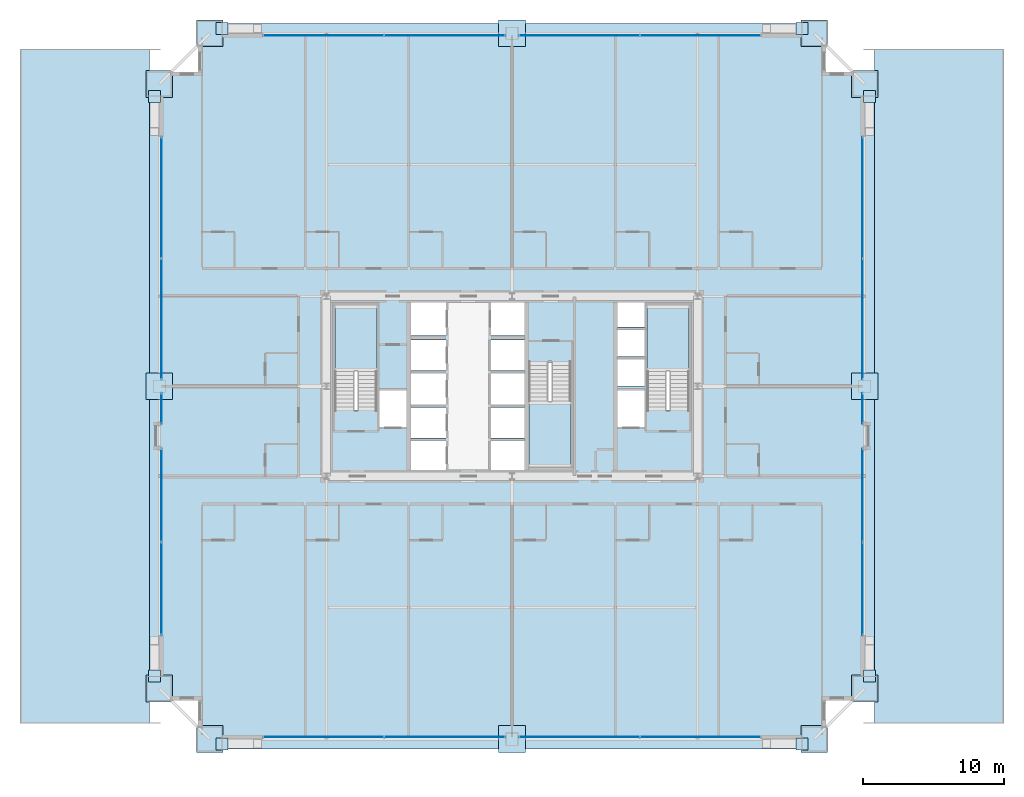
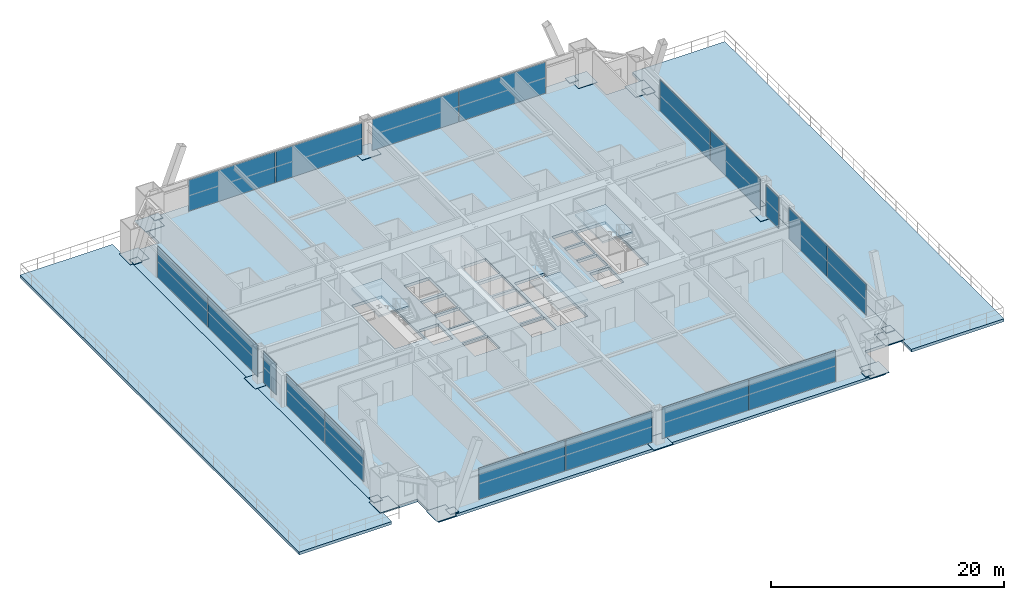
# One storey, part 37 of 45: 38 plates, 6 slabs, 13 elements without a shape of their own.
"""IFC4 building model written with IfcOpenShell, lengths in metres."""

from ifc_helpers import new_model, si_unit, direction, frame, origin, origin_2d, place, context, subcontext, project, spatial, polyline, rectangle, outline, extrude, source, transform, mapped, material, layer, layer_set, type_object, element, aggregate, save


model = new_model("IFC4")

# Units and contexts
model_context = context("Model", 3, precision=1e-05, world=origin(), true_north=direction((0.0, 1.0)))
body_context = subcontext(model_context, "Body", "Model", "MODEL_VIEW")
ifc_project = project(units=[si_unit("LENGTHUNIT", "METRE"), si_unit("AREAUNIT", "SQUARE_METRE"), si_unit("VOLUMEUNIT", "CUBIC_METRE"), si_unit("PLANEANGLEUNIT", "RADIAN"), si_unit("MASSUNIT", "GRAM", prefix="KILO"), si_unit("THERMODYNAMICTEMPERATUREUNIT", "KELVIN"), si_unit("POWERUNIT", "WATT")], contexts=[model_context])

# Site, building, storey
site_placement = place(None, origin())
site = spatial("IfcSite", under=ifc_project, at=site_placement, CompositionType="ELEMENT")
building_placement = place(site_placement, origin())
building = spatial("IfcBuilding", under=site, at=building_placement, Name="Yuzanri Waterfront Tower", CompositionType="ELEMENT")
storey_placement = place(building_placement, frame((0.0, 0.0, 30.60009765625)))
storey = spatial("IfcBuildingStorey", under=building, at=storey_placement, Name="L07", CompositionType="ELEMENT", Elevation=30.60009765625)

# Stair, slab
ifc_material_1 = material(Name="Concrete C40", Category="concrete")
stair_type = type_object("IfcStairType", Name="Concrete C40 Core Dogleg Exit Stair", PredefinedType="HALF_TURN_STAIR", material=ifc_material_1)
stair_1_placement = place(storey_placement, origin())
stair_1 = element("IfcStair", 1, at=stair_1_placement, inside=storey, type_object=stair_type, Name="L07 Smoke-Proof Core Stair ST-01", PredefinedType="HALF_TURN_STAIR")
ifc_material_2 = material(Name="Concrete C40", Category="concrete")
ifc_layer_1 = layer(ifc_material_2, 0.179931640625)
ifc_layer_set_1 = layer_set([ifc_layer_1], Name="Concrete C40")
slab_type_1 = type_object("IfcSlabType", Name="Concrete C40 Stair Half-Landing Slab 180", PredefinedType="LANDING", material=ifc_layer_set_1)
slab_1_placement = place(storey_placement, frame((0.0, 0.0, 1.599853515625)))
slab_1 = element("IfcSlab", 2, at=slab_1_placement, type_object=slab_type_1, Name="ST-01 landing 1", PredefinedType="LANDING", context=body_context, shape_type="SweptSolid", body=[
    extrude(outline(polyline([(27.39990234375, 26.840087890625), (27.39990234375, 31.580078125), (24.39990234375, 31.580078125), (24.39990234375, 26.840087890625), (27.39990234375, 26.840087890625)])), origin(), (0.0, 0.0, 1.0), 0.199951171875),
])
aggregate(stair_1, [slab_1])

stair_2_placement = place(storey_placement, origin())
stair_2 = element("IfcStair", 3, at=stair_2_placement, inside=storey, type_object=stair_type, Name="L07 Smoke-Proof Core Stair ST-02", PredefinedType="HALF_TURN_STAIR")
slab_2_placement = place(storey_placement, frame((0.0, 0.0, 1.599853515625)))
slab_2 = element("IfcSlab", 4, at=slab_2_placement, type_object=slab_type_1, Name="ST-02 landing 1", PredefinedType="LANDING", context=body_context, shape_type="SweptSolid", body=[
    extrude(outline(polyline([(49.60009765625, 26.840087890625), (49.60009765625, 31.580078125), (46.60009765625, 31.580078125), (46.60009765625, 26.840087890625), (49.60009765625, 26.840087890625)])), origin(), (0.0, 0.0, 1.0), 0.199951171875),
])
aggregate(stair_2, [slab_2])

stair_3_placement = place(storey_placement, origin())
stair_3 = element("IfcStair", 5, at=stair_3_placement, inside=storey, type_object=stair_type, Name="L07 Smoke-Proof Core Stair ST-03", PredefinedType="HALF_TURN_STAIR")
slab_3_placement = place(storey_placement, frame((0.0, 0.0, 1.599853515625)))
slab_3 = element("IfcSlab", 6, at=slab_3_placement, type_object=slab_type_1, Name="ST-03 landing 1", PredefinedType="LANDING", context=body_context, shape_type="SweptSolid", body=[
    extrude(outline(polyline([(38.199951171875, 24.760009765625), (38.199951171875, 20.02001953125), (41.199951171875, 20.02001953125), (41.199951171875, 24.760009765625), (38.199951171875, 24.760009765625)])), origin(), (0.0, 0.0, 1.0), 0.199951171875),
])
aggregate(stair_3, [slab_3])

# Slabs
ifc_material_3 = material(Name="Concrete C45", Category="concrete")
ifc_layer_2 = layer(ifc_material_3, 0.300048828125)
ifc_layer_set_2 = layer_set([ifc_layer_2], Name="Concrete C45")
slab_type_2 = type_object("IfcSlabType", Name="Concrete C45 Transfer and Sky-Lobby Structural Floor Slab 300", PredefinedType="FLOOR", material=ifc_layer_set_2)
slab_4_placement = place(storey_placement, frame((0.0, 0.0, -0.300048828125)))
element("IfcSlab", 7, at=slab_4_placement, inside=storey, type_object=slab_type_2, Name="L07 Main Structural Floor Slab", PredefinedType="FLOOR", context=body_context, shape_type="SweptSolid", body=[
    extrude(outline(polyline([(14.800048828125, 0.0), (59.199951171875, 0.0), (59.199951171875, 3.60009765625), (62.800048828125, 3.60009765625), (62.800048828125, 48.0), (59.199951171875, 48.0), (59.199951171875, 51.60009765625), (14.800048828125, 51.60009765625), (14.800048828125, 48.0), (11.199951171875, 48.0), (11.199951171875, 3.60009765625), (14.800048828125, 3.60009765625), (14.800048828125, 0.0)]), holes=[polyline([(27.39990234375, 24.10009765625), (27.39990234375, 31.580078125), (24.39990234375, 31.580078125), (24.39990234375, 24.10009765625), (27.39990234375, 24.10009765625)]), polyline([(49.60009765625, 24.10009765625), (49.60009765625, 31.580078125), (46.60009765625, 31.580078125), (46.60009765625, 24.10009765625), (49.60009765625, 24.10009765625)]), polyline([(38.199951171875, 27.5), (38.199951171875, 20.02001953125), (41.199951171875, 20.02001953125), (41.199951171875, 27.5), (38.199951171875, 27.5)]), polyline([(27.56005859375, 22.89990234375), (29.47998046875, 22.89990234375), (29.47998046875, 25.5), (27.56005859375, 25.5), (27.56005859375, 22.89990234375)]), polyline([(44.52001953125, 22.89990234375), (46.43994140625, 22.89990234375), (46.43994140625, 25.5), (44.52001953125, 25.5), (44.52001953125, 22.89990234375)]), polyline([(29.800048828125, 19.699951171875), (32.300048828125, 19.699951171875), (32.300048828125, 21.89990234375), (29.800048828125, 21.89990234375), (29.800048828125, 19.699951171875)]), polyline([(29.800048828125, 22.10009765625), (32.300048828125, 22.10009765625), (32.300048828125, 24.300048828125), (29.800048828125, 24.300048828125), (29.800048828125, 22.10009765625)]), polyline([(29.800048828125, 24.5), (32.300048828125, 24.5), (32.300048828125, 26.699951171875), (29.800048828125, 26.699951171875), (29.800048828125, 24.5)]), polyline([(29.800048828125, 26.89990234375), (32.300048828125, 26.89990234375), (32.300048828125, 29.10009765625), (29.800048828125, 29.10009765625), (29.800048828125, 26.89990234375)]), polyline([(29.800048828125, 29.39990234375), (32.300048828125, 29.39990234375), (32.300048828125, 31.89990234375), (29.800048828125, 31.89990234375), (29.800048828125, 29.39990234375)]), polyline([(35.5, 19.699951171875), (37.89990234375, 19.699951171875), (37.89990234375, 21.89990234375), (35.5, 21.89990234375), (35.5, 19.699951171875)]), polyline([(35.5, 22.10009765625), (37.89990234375, 22.10009765625), (37.89990234375, 24.300048828125), (35.5, 24.300048828125), (35.5, 22.10009765625)]), polyline([(35.5, 24.5), (37.89990234375, 24.5), (37.89990234375, 26.699951171875), (35.5, 26.699951171875), (35.5, 24.5)]), polyline([(35.5, 26.89990234375), (37.89990234375, 26.89990234375), (37.89990234375, 29.10009765625), (35.5, 29.10009765625), (35.5, 26.89990234375)]), polyline([(35.5, 29.39990234375), (37.89990234375, 29.39990234375), (37.89990234375, 31.89990234375), (35.5, 31.89990234375), (35.5, 29.39990234375)]), polyline([(44.5, 25.800048828125), (46.5, 25.800048828125), (46.5, 27.699951171875), (44.5, 27.699951171875), (44.5, 25.800048828125)]), polyline([(44.5, 27.89990234375), (46.5, 27.89990234375), (46.5, 29.800048828125), (44.5, 29.800048828125), (44.5, 27.89990234375)]), polyline([(44.5, 30.0), (46.5, 30.0), (46.5, 31.89990234375), (44.5, 31.89990234375), (44.5, 30.0)])]), origin(), (0.0, 0.0, 1.0), 0.300048828125),
])
slab_5_placement = place(storey_placement, frame((0.0, 0.0, -0.300048828125)))
element("IfcSlab", 8, at=slab_5_placement, inside=storey, type_object=slab_type_2, Name="L07 Podium Roof Terrace Slab W", PredefinedType="FLOOR", context=body_context, shape_type="SweptSolid", body=[
    extrude(outline(polyline([(2.0, 1.800048828125), (11.199951171875, 1.800048828125), (11.199951171875, 49.800048828125), (2.0, 49.800048828125), (2.0, 1.800048828125)])), origin(), (0.0, 0.0, 1.0), 0.300048828125),
])
slab_6_placement = place(storey_placement, frame((0.0, 0.0, -0.300048828125)))
element("IfcSlab", 9, at=slab_6_placement, inside=storey, type_object=slab_type_2, Name="L07 Podium Roof Terrace Slab E", PredefinedType="FLOOR", context=body_context, shape_type="SweptSolid", body=[
    extrude(outline(polyline([(62.800048828125, 1.800048828125), (72.0, 1.800048828125), (72.0, 49.800048828125), (62.800048828125, 49.800048828125), (62.800048828125, 1.800048828125)])), origin(), (0.0, 0.0, 1.0), 0.300048828125),
])

# Plates
ifc_material_4 = material(Name="Steel Q420GJC", Category="steel")
ifc_layer_3 = layer(ifc_material_4, 0.044921875)
ifc_layer_set_3 = layer_set([ifc_layer_3], Name="Steel Q420GJC")
plate_type_1 = type_object("IfcPlateType", Name="Steel Q420GJC Setback Column-Transfer Diaphragm Cap Plate 45", PredefinedType="SHEET", material=ifc_layer_set_3)
shared_shape_1 = source(origin(), body_context, "Body", "SweptSolid", [
    extrude(rectangle(XDim=1.89990234375, YDim=1.89990234375, at=origin_2d()), origin(), (0.0, 0.0, 1.0), 0.044921875),
])
for number, where, z_axis, x_axis, name in (
    (10, (15.5, 0.699951171875, -0.0224609375), (0.0, 0.0, 1.0), (1.0, 0.0, 0.0), "L07 Column Base Closure Plate S1"),
    (11, (37.0, 0.699951171875, -0.0224609375), (0.0, 0.0, 1.0), (1.0, 0.0, 0.0), "L07 Column Base Closure Plate S2"),
    (12, (58.5, 0.699951171875, -0.0224609375), (0.0, 0.0, 1.0), (1.0, 0.0, 0.0), "L07 Column Base Closure Plate S3"),
    (13, (15.5, 50.89990234375, -0.0224609375), (0.0, 0.0, 1.0), (1.0, 0.0, 0.0), "L07 Column Base Closure Plate N1"),
    (14, (37.0, 50.89990234375, -0.0224609375), (0.0, 0.0, 1.0), (1.0, 0.0, 0.0), "L07 Column Base Closure Plate N2"),
    (15, (58.5, 50.89990234375, -0.0224609375), (0.0, 0.0, 1.0), (1.0, 0.0, 0.0), "L07 Column Base Closure Plate N3"),
    (16, (11.89990234375, 4.300048828125, -0.0224609375), (0.0, 0.0, 1.0), (1.0, 0.0, 0.0), "L07 Column Base Closure Plate W1"),
    (17, (11.89990234375, 25.800048828125, -0.0224609375), (0.0, 0.0, 1.0), (1.0, 0.0, 0.0), "L07 Column Base Closure Plate W2"),
    (18, (11.89990234375, 47.300048828125, -0.0224609375), (0.0, 0.0, 1.0), (1.0, 0.0, 0.0), "L07 Column Base Closure Plate W3"),
    (19, (62.10009765625, 4.300048828125, -0.0224609375), (0.0, 0.0, 1.0), (1.0, 0.0, 0.0), "L07 Column Base Closure Plate E1"),
    (20, (62.10009765625, 25.800048828125, -0.0224609375), (0.0, 0.0, 1.0), (1.0, 0.0, 0.0), "L07 Column Base Closure Plate E2"),
    (21, (62.10009765625, 47.300048828125, -0.0224609375), (0.0, 0.0, 1.0), (1.0, 0.0, 0.0), "L07 Column Base Closure Plate E3"),
):
    element("IfcPlate", number, at=place(storey_placement, frame(where, z_axis=z_axis, x_axis=x_axis)), inside=storey, type_object=plate_type_1, Name=name, PredefinedType="SHEET", context=body_context, shape_type="MappedRepresentation", body=[
        mapped(shared_shape_1, transform((0.0, 0.0, 0.0), scale=1.0)),
    ])
ifc_material_5 = material(Name="Steel Q420GJC", Category="steel")
ifc_layer_4 = layer(ifc_material_5, 0.0400390625)
ifc_layer_set_4 = layer_set([ifc_layer_4], Name="Steel Q420GJC")
plate_type_2 = type_object("IfcPlateType", Name="Steel Q420GJC Mega-Brace Gusset and End-Cap Plate 40", PredefinedType="SHEET", material=ifc_layer_set_4)
shared_shape_2 = source(origin(), body_context, "Body", "SweptSolid", [
    extrude(rectangle(XDim=0.85009765625, YDim=0.85009765625, at=origin_2d()), origin(), (0.0, 0.0, 1.0), 0.0400390625),
])
for number, where, z_axis, x_axis, name in (
    (22, (16.3798828125, 0.360107421875, 0.159912109375), (0.0, 0.0, 1.0), (1.0, 0.0, 0.0), "L07 Mega-Brace Foot Cap Plate S-L"),
    (23, (57.6201171875, 0.360107421875, 0.159912109375), (0.0, 0.0, 1.0), (1.0, 0.0, 0.0), "L07 Mega-Brace Foot Cap Plate S-R"),
    (24, (16.3798828125, 51.239990234375, 0.159912109375), (0.0, 0.0, 1.0), (1.0, 0.0, 0.0), "L07 Mega-Brace Foot Cap Plate N-L"),
    (25, (57.6201171875, 51.239990234375, 0.159912109375), (0.0, 0.0, 1.0), (1.0, 0.0, 0.0), "L07 Mega-Brace Foot Cap Plate N-R"),
    (26, (11.56005859375, 5.179931640625, 0.159912109375), (0.0, 0.0, 1.0), (1.0, 0.0, 0.0), "L07 Mega-Brace Foot Cap Plate W-L"),
    (27, (11.56005859375, 46.419921875, 0.159912109375), (0.0, 0.0, 1.0), (1.0, 0.0, 0.0), "L07 Mega-Brace Foot Cap Plate W-R"),
    (28, (62.43994140625, 5.179931640625, 0.159912109375), (0.0, 0.0, 1.0), (1.0, 0.0, 0.0), "L07 Mega-Brace Foot Cap Plate E-L"),
    (29, (62.43994140625, 46.419921875, 0.159912109375), (0.0, 0.0, 1.0), (1.0, 0.0, 0.0), "L07 Mega-Brace Foot Cap Plate E-R"),
):
    element("IfcPlate", number, at=place(storey_placement, frame(where, z_axis=z_axis, x_axis=x_axis)), inside=storey, type_object=plate_type_2, Name=name, PredefinedType="SHEET", context=body_context, shape_type="MappedRepresentation", body=[
        mapped(shared_shape_2, transform((0.0, 0.0, 0.0), scale=1.0)),
    ])

# Curtain wall, plates
ifc_material_6 = material(Name="Anodized Architectural Bronze", Category="metal")
ifc_layer_5 = layer(ifc_material_6, 0.159912109375)
ifc_layer_set_5 = layer_set([ifc_layer_5], Name="Anodized Architectural Bronze")
curtain_wall_type = type_object("IfcCurtainWallType", Name="Anodized Bronze Hotel Lower-Tier Recessed Unitized Curtain Wall 8100", PredefinedType="NOTDEFINED", material=ifc_layer_set_5)
curtain_wall_1_placement = place(storey_placement, origin())
curtain_wall_1 = element("IfcCurtainWall", 30, at=curtain_wall_1_placement, inside=storey, type_object=curtain_wall_type, Name="L07 Curtain Wall CW-L07-SL", PredefinedType="NOTDEFINED")
ifc_material_7 = material(Name="Double-Silver Low-E Insulated Glass", Category="glass")
ifc_layer_6 = layer(ifc_material_7, 0.035888671875)
ifc_layer_set_6 = layer_set([ifc_layer_6], Name="Double-Silver Low-E Insulated Glass")
plate_type_3 = type_object("IfcPlateType", Name="Double Silver Low-E Insulated Vision Glass Panel 36", PredefinedType="CURTAIN_PANEL", material=ifc_layer_set_6)
shared_shape_3 = source(origin(), body_context, "Body", "SweptSolid", [
    extrude(rectangle(XDim=8.570068359375, YDim=0.035888671875, at=origin_2d()), origin(), (0.0, 0.0, 1.0), 3.280029296875),
])
plate_1_placement = place(storey_placement, frame((23.574951171875, 0.85009765625, 0.0498046875), z_axis=(0.0, 0.0, 1.0), x_axis=(1.0, 0.0, 0.0)))
plate_1 = element("IfcPlate", 31, at=plate_1_placement, type_object=plate_type_3, Name="CW-L07-SL Vision Glass Panel 01", PredefinedType="CURTAIN_PANEL", context=body_context, shape_type="MappedRepresentation", body=[
    mapped(shared_shape_3, transform((0.0, 0.0, 0.0), scale=1.0)),
])
plate_2_placement = place(storey_placement, frame((32.22509765625, 0.85009765625, 0.0498046875), z_axis=(0.0, 0.0, 1.0), x_axis=(1.0, 0.0, 0.0)))
plate_2 = element("IfcPlate", 32, at=plate_2_placement, type_object=plate_type_3, Name="CW-L07-SL Vision Glass Panel 02", PredefinedType="CURTAIN_PANEL", context=body_context, shape_type="MappedRepresentation", body=[
    mapped(shared_shape_3, transform((0.0, 0.0, 0.0), scale=1.0)),
])
aggregate(curtain_wall_1, [plate_1, plate_2])

curtain_wall_2_placement = place(storey_placement, origin())
curtain_wall_2 = element("IfcCurtainWall", 33, at=curtain_wall_2_placement, inside=storey, type_object=curtain_wall_type, Name="L07 Curtain Wall CW-L07-SR", PredefinedType="NOTDEFINED")
plate_3_placement = place(storey_placement, frame((41.77490234375, 0.85009765625, 0.0498046875), z_axis=(0.0, 0.0, 1.0), x_axis=(1.0, 0.0, 0.0)))
plate_3 = element("IfcPlate", 34, at=plate_3_placement, type_object=plate_type_3, Name="CW-L07-SR Vision Glass Panel 01", PredefinedType="CURTAIN_PANEL", context=body_context, shape_type="MappedRepresentation", body=[
    mapped(shared_shape_3, transform((0.0, 0.0, 0.0), scale=1.0)),
])
plate_4_placement = place(storey_placement, frame((50.425048828125, 0.85009765625, 0.0498046875), z_axis=(0.0, 0.0, 1.0), x_axis=(1.0, 0.0, 0.0)))
plate_4 = element("IfcPlate", 35, at=plate_4_placement, type_object=plate_type_3, Name="CW-L07-SR Vision Glass Panel 02", PredefinedType="CURTAIN_PANEL", context=body_context, shape_type="MappedRepresentation", body=[
    mapped(shared_shape_3, transform((0.0, 0.0, 0.0), scale=1.0)),
])
aggregate(curtain_wall_2, [plate_3, plate_4])

curtain_wall_3_placement = place(storey_placement, origin())
curtain_wall_3 = element("IfcCurtainWall", 36, at=curtain_wall_3_placement, inside=storey, type_object=curtain_wall_type, Name="L07 Curtain Wall CW-L07-NL", PredefinedType="NOTDEFINED")
plate_5_placement = place(storey_placement, frame((23.574951171875, 50.75, 0.0498046875), z_axis=(0.0, 0.0, 1.0), x_axis=(1.0, 0.0, 0.0)))
plate_5 = element("IfcPlate", 37, at=plate_5_placement, type_object=plate_type_3, Name="CW-L07-NL Vision Glass Panel 01", PredefinedType="CURTAIN_PANEL", context=body_context, shape_type="MappedRepresentation", body=[
    mapped(shared_shape_3, transform((0.0, 0.0, 0.0), scale=1.0)),
])
plate_6_placement = place(storey_placement, frame((32.22509765625, 50.75, 0.0498046875), z_axis=(0.0, 0.0, 1.0), x_axis=(1.0, 0.0, 0.0)))
plate_6 = element("IfcPlate", 38, at=plate_6_placement, type_object=plate_type_3, Name="CW-L07-NL Vision Glass Panel 02", PredefinedType="CURTAIN_PANEL", context=body_context, shape_type="MappedRepresentation", body=[
    mapped(shared_shape_3, transform((0.0, 0.0, 0.0), scale=1.0)),
])
aggregate(curtain_wall_3, [plate_5, plate_6])

curtain_wall_4_placement = place(storey_placement, origin())
curtain_wall_4 = element("IfcCurtainWall", 39, at=curtain_wall_4_placement, inside=storey, type_object=curtain_wall_type, Name="L07 Curtain Wall CW-L07-NR", PredefinedType="NOTDEFINED")
plate_7_placement = place(storey_placement, frame((41.77490234375, 50.75, 0.0498046875), z_axis=(0.0, 0.0, 1.0), x_axis=(1.0, 0.0, 0.0)))
plate_7 = element("IfcPlate", 40, at=plate_7_placement, type_object=plate_type_3, Name="CW-L07-NR Vision Glass Panel 01", PredefinedType="CURTAIN_PANEL", context=body_context, shape_type="MappedRepresentation", body=[
    mapped(shared_shape_3, transform((0.0, 0.0, 0.0), scale=1.0)),
])
plate_8_placement = place(storey_placement, frame((50.425048828125, 50.75, 0.0498046875), z_axis=(0.0, 0.0, 1.0), x_axis=(1.0, 0.0, 0.0)))
plate_8 = element("IfcPlate", 41, at=plate_8_placement, type_object=plate_type_3, Name="CW-L07-NR Vision Glass Panel 02", PredefinedType="CURTAIN_PANEL", context=body_context, shape_type="MappedRepresentation", body=[
    mapped(shared_shape_3, transform((0.0, 0.0, 0.0), scale=1.0)),
])
aggregate(curtain_wall_4, [plate_7, plate_8])

curtain_wall_5_placement = place(storey_placement, origin())
curtain_wall_5 = element("IfcCurtainWall", 42, at=curtain_wall_5_placement, inside=storey, type_object=curtain_wall_type, Name="L07 Curtain Wall CW-L07-WR", PredefinedType="NOTDEFINED")
plate_9_placement = place(storey_placement, frame((12.050048828125, 30.574951171875, 0.0498046875), z_axis=(0.0, 0.0, 1.0), x_axis=(0.0, 1.0, 0.0)))
plate_9 = element("IfcPlate", 43, at=plate_9_placement, type_object=plate_type_3, Name="CW-L07-WR Vision Glass Panel 01", PredefinedType="CURTAIN_PANEL", context=body_context, shape_type="MappedRepresentation", body=[
    mapped(shared_shape_3, transform((0.0, 0.0, 0.0), scale=1.0)),
])
plate_10_placement = place(storey_placement, frame((12.050048828125, 39.22509765625, 0.0498046875), z_axis=(0.0, 0.0, 1.0), x_axis=(0.0, 1.0, 0.0)))
plate_10 = element("IfcPlate", 44, at=plate_10_placement, type_object=plate_type_3, Name="CW-L07-WR Vision Glass Panel 02", PredefinedType="CURTAIN_PANEL", context=body_context, shape_type="MappedRepresentation", body=[
    mapped(shared_shape_3, transform((0.0, 0.0, 0.0), scale=1.0)),
])
aggregate(curtain_wall_5, [plate_9, plate_10])

curtain_wall_6_placement = place(storey_placement, origin())
curtain_wall_6 = element("IfcCurtainWall", 45, at=curtain_wall_6_placement, inside=storey, type_object=curtain_wall_type, Name="L07 Curtain Wall CW-L07-ER", PredefinedType="NOTDEFINED")
plate_11_placement = place(storey_placement, frame((61.949951171875, 30.574951171875, 0.0498046875), z_axis=(0.0, 0.0, 1.0), x_axis=(0.0, 1.0, 0.0)))
plate_11 = element("IfcPlate", 46, at=plate_11_placement, type_object=plate_type_3, Name="CW-L07-ER Vision Glass Panel 01", PredefinedType="CURTAIN_PANEL", context=body_context, shape_type="MappedRepresentation", body=[
    mapped(shared_shape_3, transform((0.0, 0.0, 0.0), scale=1.0)),
])
plate_12_placement = place(storey_placement, frame((61.949951171875, 39.22509765625, 0.0498046875), z_axis=(0.0, 0.0, 1.0), x_axis=(0.0, 1.0, 0.0)))
plate_12 = element("IfcPlate", 47, at=plate_12_placement, type_object=plate_type_3, Name="CW-L07-ER Vision Glass Panel 02", PredefinedType="CURTAIN_PANEL", context=body_context, shape_type="MappedRepresentation", body=[
    mapped(shared_shape_3, transform((0.0, 0.0, 0.0), scale=1.0)),
])
aggregate(curtain_wall_6, [plate_11, plate_12])

curtain_wall_7_placement = place(storey_placement, origin())
curtain_wall_7 = element("IfcCurtainWall", 48, at=curtain_wall_7_placement, inside=storey, type_object=curtain_wall_type, Name="L07 Curtain Wall CW-L07-WL1", PredefinedType="NOTDEFINED")
shared_shape_4 = source(origin(), body_context, "Body", "SweptSolid", [
    extrude(rectangle(XDim=6.597412109375, YDim=0.035888671875, at=origin_2d()), origin(), (0.0, 0.0, 1.0), 3.280029296875),
])
plate_13_placement = place(storey_placement, frame((12.050048828125, 11.388671875, 0.0498046875), z_axis=(0.0, 0.0, 1.0), x_axis=(0.0, 1.0, 0.0)))
plate_13 = element("IfcPlate", 49, at=plate_13_placement, type_object=plate_type_3, Name="CW-L07-WL1 Vision Glass Panel 01", PredefinedType="CURTAIN_PANEL", context=body_context, shape_type="MappedRepresentation", body=[
    mapped(shared_shape_4, transform((0.0, 0.0, 0.0), scale=1.0)),
])
plate_14_placement = place(storey_placement, frame((12.050048828125, 18.06640625, 0.0498046875), z_axis=(0.0, 0.0, 1.0), x_axis=(0.0, 1.0, 0.0)))
plate_14 = element("IfcPlate", 50, at=plate_14_placement, type_object=plate_type_3, Name="CW-L07-WL1 Vision Glass Panel 02", PredefinedType="CURTAIN_PANEL", context=body_context, shape_type="MappedRepresentation", body=[
    mapped(shared_shape_4, transform((0.0, 0.0, 0.0), scale=1.0)),
])
aggregate(curtain_wall_7, [plate_13, plate_14])

curtain_wall_8_placement = place(storey_placement, origin())
curtain_wall_8 = element("IfcCurtainWall", 51, at=curtain_wall_8_placement, inside=storey, type_object=curtain_wall_type, Name="L07 Curtain Wall CW-L07-EL1", PredefinedType="NOTDEFINED")
plate_15_placement = place(storey_placement, frame((61.949951171875, 11.388671875, 0.0498046875), z_axis=(0.0, 0.0, 1.0), x_axis=(0.0, 1.0, 0.0)))
plate_15 = element("IfcPlate", 52, at=plate_15_placement, type_object=plate_type_3, Name="CW-L07-EL1 Vision Glass Panel 01", PredefinedType="CURTAIN_PANEL", context=body_context, shape_type="MappedRepresentation", body=[
    mapped(shared_shape_4, transform((0.0, 0.0, 0.0), scale=1.0)),
])
plate_16_placement = place(storey_placement, frame((61.949951171875, 18.06640625, 0.0498046875), z_axis=(0.0, 0.0, 1.0), x_axis=(0.0, 1.0, 0.0)))
plate_16 = element("IfcPlate", 53, at=plate_16_placement, type_object=plate_type_3, Name="CW-L07-EL1 Vision Glass Panel 02", PredefinedType="CURTAIN_PANEL", context=body_context, shape_type="MappedRepresentation", body=[
    mapped(shared_shape_4, transform((0.0, 0.0, 0.0), scale=1.0)),
])
aggregate(curtain_wall_8, [plate_15, plate_16])

# Curtain wall, plate
curtain_wall_9_placement = place(storey_placement, origin())
curtain_wall_9 = element("IfcCurtainWall", 54, at=curtain_wall_9_placement, inside=storey, type_object=curtain_wall_type, Name="L07 Curtain Wall CW-L07-WL2", PredefinedType="NOTDEFINED")
shared_shape_5 = source(origin(), body_context, "Body", "SweptSolid", [
    extrude(rectangle(XDim=2.1650390625, YDim=0.035888671875, at=origin_2d()), origin(), (0.0, 0.0, 1.0), 3.280029296875),
])
plate_17_placement = place(storey_placement, frame((12.050048828125, 24.2275390625, 0.0498046875), z_axis=(0.0, 0.0, 1.0), x_axis=(0.0, 1.0, 0.0)))
plate_17 = element("IfcPlate", 55, at=plate_17_placement, type_object=plate_type_3, Name="CW-L07-WL2 Vision Glass Panel 01", PredefinedType="CURTAIN_PANEL", context=body_context, shape_type="MappedRepresentation", body=[
    mapped(shared_shape_5, transform((0.0, 0.0, 0.0), scale=1.0)),
])
aggregate(curtain_wall_9, [plate_17])

curtain_wall_10_placement = place(storey_placement, origin())
curtain_wall_10 = element("IfcCurtainWall", 56, at=curtain_wall_10_placement, inside=storey, type_object=curtain_wall_type, Name="L07 Curtain Wall CW-L07-EL2", PredefinedType="NOTDEFINED")
plate_18_placement = place(storey_placement, frame((61.949951171875, 24.2275390625, 0.0498046875), z_axis=(0.0, 0.0, 1.0), x_axis=(0.0, 1.0, 0.0)))
plate_18 = element("IfcPlate", 57, at=plate_18_placement, type_object=plate_type_3, Name="CW-L07-EL2 Vision Glass Panel 01", PredefinedType="CURTAIN_PANEL", context=body_context, shape_type="MappedRepresentation", body=[
    mapped(shared_shape_5, transform((0.0, 0.0, 0.0), scale=1.0)),
])
aggregate(curtain_wall_10, [plate_18])

save(model, "model.ifc")
